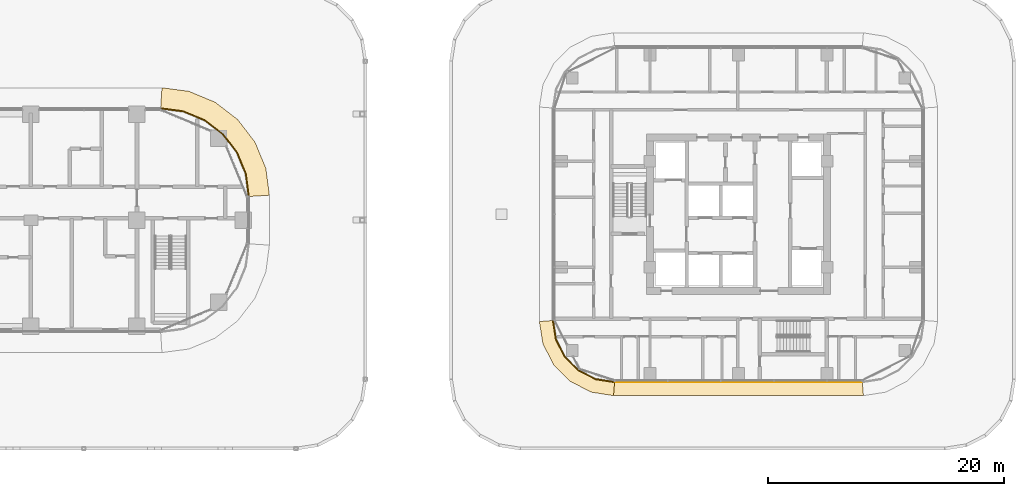
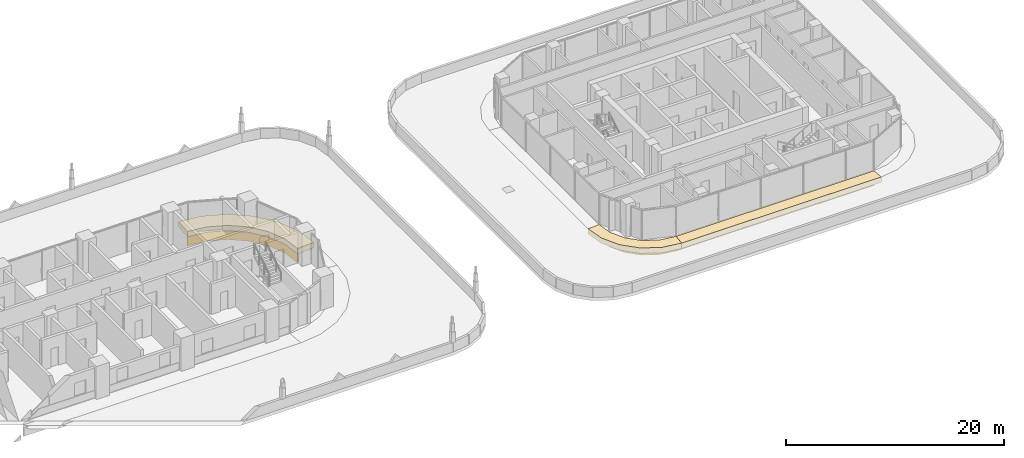
# One storey, part 44 of 51: 6 coverings.
"""IFC4 building model written with IfcOpenShell, lengths in metres."""

from ifc_helpers import new_model, si_unit, direction, frame, origin, place, context, subcontext, project, spatial, polyline, outline, extrude, material, layer, layer_set, type_object, element, save


model = new_model("IFC4")

# Units and contexts
model_context = context("Model", 3, precision=1e-05, world=origin(), true_north=direction((0.0, 1.0)))
body_context = subcontext(model_context, "Body", "Model", "MODEL_VIEW")
ifc_project = project(units=[si_unit("LENGTHUNIT", "METRE"), si_unit("AREAUNIT", "SQUARE_METRE"), si_unit("VOLUMEUNIT", "CUBIC_METRE"), si_unit("PLANEANGLEUNIT", "RADIAN"), si_unit("MASSUNIT", "GRAM", prefix="KILO")], contexts=[model_context])

# Site, building, storey
site_placement = place(None, origin())
site = spatial("IfcSite", under=ifc_project, at=site_placement, CompositionType="ELEMENT")
building_placement = place(site_placement, origin())
building = spatial("IfcBuilding", under=site, at=building_placement, Name="Ogive Portal Towers", CompositionType="ELEMENT")
storey_placement = place(building_placement, frame((0.0, 0.0, 33.5)))
storey = spatial("IfcBuildingStorey", under=building, at=storey_placement, Name="L06", CompositionType="ELEMENT", Elevation=33.5)

# Coverings
ifc_material = material(Name="Limestone cladding on lightweight block wall", Category="masonry")
ifc_layer_1 = layer(ifc_material, 0.080078125)
ifc_layer_set_1 = layer_set([ifc_layer_1], Name="STONE SPANDREL 80")
covering_type_1 = type_object("IfcCoveringType", Name="STONE SPANDREL 80", PredefinedType="CLADDING", material=ifc_layer_set_1)
covering_1_placement = place(storey_placement, frame((0.0, 0.0, -1.60009765625)))
element("IfcCovering", 1, at=covering_1_placement, inside=storey, type_object=covering_type_1, Name="Stone spandrel A1-F15", PredefinedType="CLADDING", context=body_context, shape_type="SweptSolid", body=[
    extrude(outline(polyline([(94.925048828125, 32.5), (94.672119140625, 34.421630859375), (93.93017578125, 36.21240234375), (92.750244140625, 37.750244140625), (91.21240234375, 38.93017578125), (89.421630859375, 39.672119140625), (87.5, 39.925048828125), (87.505126953125, 40.0048828125), (89.442626953125, 39.75), (91.2529296875, 39.0), (92.807373046875, 37.807373046875), (94.0, 36.2529296875), (94.75, 34.442626953125), (95.0048828125, 32.505126953125), (94.925048828125, 32.5)])), origin(), (0.0, 0.0, 1.0), 1.0),
])
covering_2_placement = place(storey_placement, frame((0.0, 0.0, -1.60009765625)))
element("IfcCovering", 2, at=covering_2_placement, inside=storey, type_object=covering_type_1, Name="Stone spandrel B1-F01", PredefinedType="CLADDING", context=body_context, shape_type="SweptSolid", body=[
    extrude(outline(polyline([(120.820068359375, 22.0), (121.073486328125, 20.399169921875), (121.809326171875, 18.955322265625), (122.955322265625, 17.809326171875), (124.399169921875, 17.073486328125), (126.0, 16.820068359375), (125.99365234375, 16.739990234375), (124.374267578125, 16.99658203125), (122.90771484375, 17.74365234375), (121.74365234375, 18.90771484375), (120.99658203125, 20.374267578125), (120.739990234375, 21.99365234375), (120.820068359375, 22.0)])), origin(), (0.0, 0.0, 1.0), 1.0),
])
covering_3_placement = place(storey_placement, frame((0.0, 0.0, -1.60009765625)))
element("IfcCovering", 3, at=covering_3_placement, inside=storey, type_object=covering_type_1, Name="Stone spandrel B1-F02", PredefinedType="CLADDING", context=body_context, shape_type="SweptSolid", body=[
    extrude(outline(polyline([(126.0, 16.820068359375), (147.0, 16.820068359375), (147.00634765625, 16.739990234375), (125.99365234375, 16.739990234375), (126.0, 16.820068359375)])), origin(), (0.0, 0.0, 1.0), 1.0),
])
ifc_layer_2 = layer(ifc_material, 0.60009765625)
ifc_layer_set_2 = layer_set([ifc_layer_2], Name="SUNSHADE LIP 600")
covering_type_2 = type_object("IfcCoveringType", Name="SUNSHADE LIP 600", PredefinedType="CLADDING", material=ifc_layer_set_2)
covering_4_placement = place(storey_placement, frame((0.0, 0.0, -0.60009765625)))
element("IfcCovering", 4, at=covering_4_placement, inside=storey, type_object=covering_type_2, Name="Sunshade lip A1-F15", PredefinedType="CLADDING", context=body_context, shape_type="SweptSolid", body=[
    extrude(outline(polyline([(94.925048828125, 32.5), (94.672119140625, 34.421630859375), (93.93017578125, 36.21240234375), (92.750244140625, 37.750244140625), (91.21240234375, 38.93017578125), (89.421630859375, 39.672119140625), (87.5, 39.925048828125), (87.617919921875, 41.72509765625), (89.8916015625, 41.42578125), (92.120361328125, 40.50244140625), (94.033935546875, 39.033935546875), (95.50244140625, 37.120361328125), (96.42578125, 34.8916015625), (96.72509765625, 32.617919921875), (94.925048828125, 32.5)])), origin(), (0.0, 0.0, 1.0), 0.60009765625),
])
covering_5_placement = place(storey_placement, frame((0.0, 0.0, -0.60009765625)))
element("IfcCovering", 5, at=covering_5_placement, inside=storey, type_object=covering_type_2, Name="Sunshade lip B1-F01", PredefinedType="CLADDING", context=body_context, shape_type="SweptSolid", body=[
    extrude(outline(polyline([(120.820068359375, 22.0), (121.073486328125, 20.399169921875), (121.809326171875, 18.955322265625), (122.955322265625, 17.809326171875), (124.399169921875, 17.073486328125), (126.0, 16.820068359375), (125.905517578125, 15.6201171875), (124.02392578125, 15.91796875), (122.2412109375, 16.826416015625), (120.826416015625, 18.2412109375), (119.91796875, 20.02392578125), (119.6201171875, 21.905517578125), (120.820068359375, 22.0)])), origin(), (0.0, 0.0, 1.0), 0.60009765625),
])
covering_6_placement = place(storey_placement, frame((0.0, 0.0, -0.60009765625)))
element("IfcCovering", 6, at=covering_6_placement, inside=storey, type_object=covering_type_2, Name="Sunshade lip B1-F02", PredefinedType="CLADDING", context=body_context, shape_type="SweptSolid", body=[
    extrude(outline(polyline([(126.0, 16.820068359375), (147.0, 16.820068359375), (147.094482421875, 15.6201171875), (125.905517578125, 15.6201171875), (126.0, 16.820068359375)])), origin(), (0.0, 0.0, 1.0), 0.60009765625),
])

save(model, "model.ifc")
